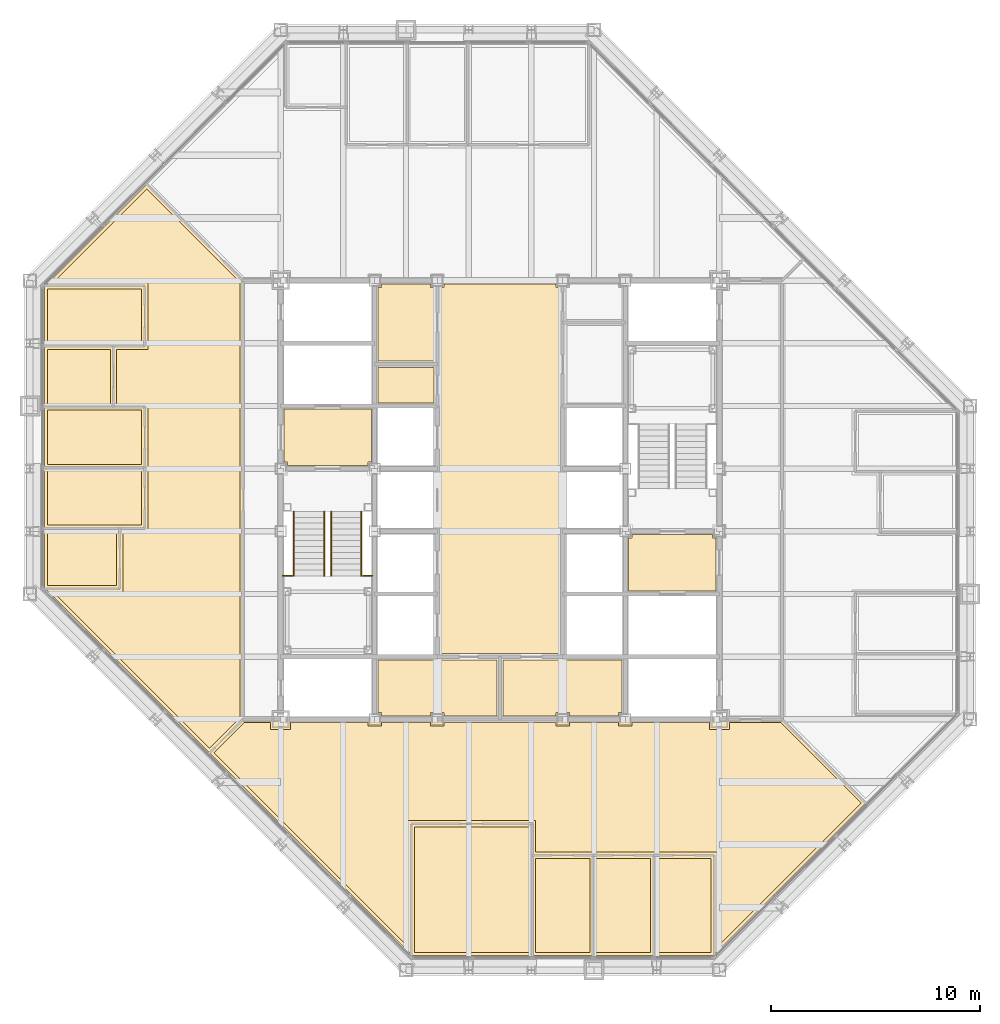
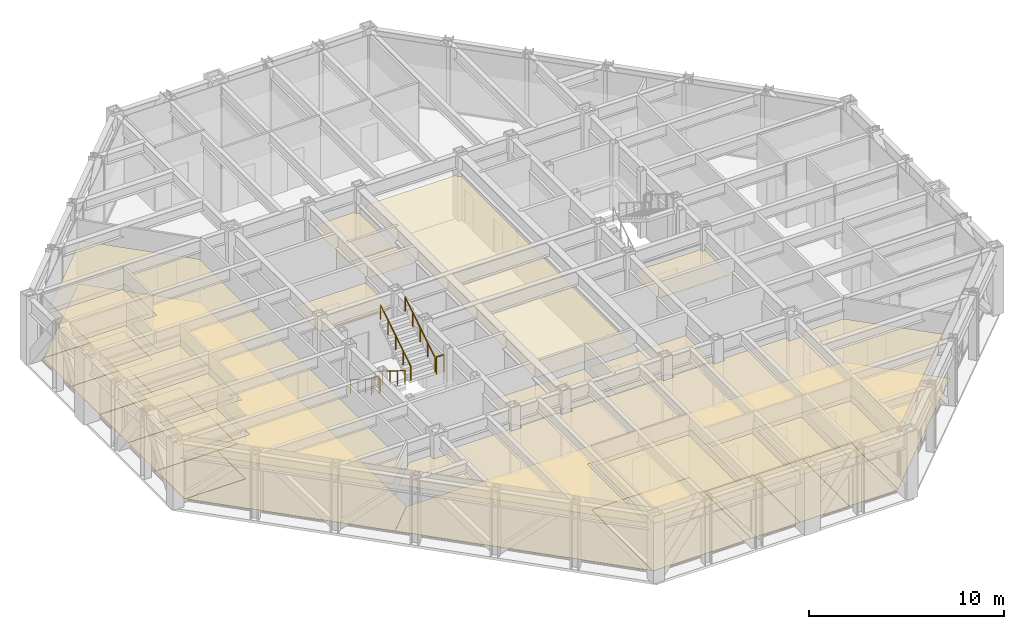
# One storey, part 15 of 16: 29 coverings, 6 railings.
"""IFC4 building model written with IfcOpenShell, lengths in metres."""

import ifcopenshell
import ifcopenshell.guid

model = None  # the IFC model being written
_history = None  # IfcOwnerHistory: only IFC2X3 demands one
_inside = {}  # id of a spatial element -> (the spatial element, [elements in it])
_under = {}  # id of a project, library or spatial element -> (it, [spatial elements below it])
_declared = {}  # id of a project -> (the project, [libraries it declares])
_typed = {}  # id of a type object -> (the type object, [elements of that type])
_made_of = {}  # id of a material, layer set ... -> (it, [elements and type objects made of it])


def new_model(schema):
    """Start an empty IFC model of exactly this schema.

    Asked for "IFC4X3", IfcOpenShell would pick the latest addendum, in which some entities
    have other attributes; the version numbers below select the first issue.
    IFC2X3 requires an IfcOwnerHistory on every rooted entity: one is made here for all.
    """
    global model, _history
    if schema == "IFC4X3":
        model = ifcopenshell.file(schema_version=(4, 3, 0, 0))
    else:
        model = ifcopenshell.file(schema=schema)
    _inside.clear()
    _under.clear()
    _declared.clear()
    _typed.clear()
    _made_of.clear()
    _history = None
    if model.schema == "IFC2X3":
        org = make("IfcOrganization", Name="unknown")
        user = make(
            "IfcPersonAndOrganization",
            ThePerson=make("IfcPerson", FamilyName="unknown"),
            TheOrganization=org,
        )
        app = make(
            "IfcApplication",
            ApplicationDeveloper=org,
            Version="unknown",
            ApplicationFullName="unknown",
            ApplicationIdentifier="unknown",
        )
        _history = make(
            "IfcOwnerHistory",
            OwningUser=user,
            OwningApplication=app,
            ChangeAction="ADDED",
            CreationDate=0,
        )
    return model


def make(cls, **values):
    """One entity of the class cls with the attributes given. An attribute that is None is left unset."""
    return model.create_entity(
        cls, **{name: value for name, value in values.items() if value is not None}
    )


def rooted(cls, **values):
    """An entity with a GlobalId (a new one), such as an element, a storey or a relation."""
    return make(cls, GlobalId=ifcopenshell.guid.new(), OwnerHistory=_history, **values)


def si_unit(unit_type, name, prefix=None):
    """IfcSIUnit, for example si_unit("LENGTHUNIT", "METRE", prefix="MILLI")."""
    return make("IfcSIUnit", UnitType=unit_type, Prefix=prefix, Name=name)


def assignment(units):
    """IfcUnitAssignment: the units of a project."""
    return None if units is None else make("IfcUnitAssignment", Units=units)


def point(xyz):
    """IfcCartesianPoint."""
    return None if xyz is None else make("IfcCartesianPoint", Coordinates=xyz)


def direction(xyz):
    """IfcDirection."""
    return None if xyz is None else make("IfcDirection", DirectionRatios=xyz)


def frame(location, z_axis=None, x_axis=None):
    """IfcAxis2Placement3D, a coordinate frame: its origin and axes. An axis left out is left unset."""
    return make(
        "IfcAxis2Placement3D",
        Location=point(location),
        Axis=direction(z_axis),
        RefDirection=direction(x_axis),
    )


def frame_2d(location, x_axis=None):
    """IfcAxis2Placement2D, a coordinate frame in the plane: its origin and x axis."""
    return make(
        "IfcAxis2Placement2D", Location=point(location), RefDirection=direction(x_axis)
    )


def origin():
    """The frame at (0, 0, 0) with its axes left unset."""
    return frame((0.0, 0.0, 0.0))


def origin_2d():
    """The frame at (0, 0) in the plane with its x axis left unset."""
    return frame_2d((0.0, 0.0))


def place(relative_to, where):
    """IfcLocalPlacement: puts the frame where relative to a parent placement (None: the world)."""
    return make(
        "IfcLocalPlacement", PlacementRelTo=relative_to, RelativePlacement=where
    )


def context(
    kind, dimensions, precision=None, world=None, true_north=None, identifier=None
):
    """IfcGeometricRepresentationContext, for example the 3D "Model" context."""
    return make(
        "IfcGeometricRepresentationContext",
        ContextIdentifier=identifier,
        ContextType=kind,
        CoordinateSpaceDimension=dimensions,
        Precision=precision,
        WorldCoordinateSystem=world,
        TrueNorth=true_north,
    )


def subcontext(parent, identifier, kind, view, scale=None):
    """IfcGeometricRepresentationSubContext, for example "Body" below "Model"."""
    return make(
        "IfcGeometricRepresentationSubContext",
        ContextIdentifier=identifier,
        ContextType=kind,
        ParentContext=parent,
        TargetScale=scale,
        TargetView=view,
    )


def project(units=None, contexts=None):
    """IfcProject with its units and contexts."""
    return rooted(
        "IfcProject",
        Name="project",
        RepresentationContexts=contexts,
        UnitsInContext=assignment(units),
    )


def spatial(cls, under=None, at=None, **own):
    """A site, building, storey or space (cls), placed at a placement, below another one or the project."""
    s = rooted(cls, ObjectPlacement=at, **own)
    if under is not None:
        _under.setdefault(under.id(), (under, []))[1].append(s)
    return s


def polyline(points):
    """IfcPolyline through the points."""
    return make("IfcPolyline", Points=[point(p) for p in points])


def profile(cls, at=None, kind="AREA", **sizes):
    """A parametric profile (cls). Its sizes go by their IFC names, for example OverallWidth=200.0."""
    return make(cls, ProfileType=kind, Position=at, **sizes)


def circle(**sizes):
    """IfcCircleProfileDef."""
    return profile("IfcCircleProfileDef", **sizes)


def outline(outer, holes=None, kind="AREA"):
    """IfcArbitraryClosedProfileDef: a profile drawn as a closed curve; with holes, ...WithVoids."""
    if holes is None:
        return make("IfcArbitraryClosedProfileDef", ProfileType=kind, OuterCurve=outer)
    return make(
        "IfcArbitraryProfileDefWithVoids",
        ProfileType=kind,
        OuterCurve=outer,
        InnerCurves=holes,
    )


def extrude(swept, where, along, depth):
    """IfcExtrudedAreaSolid: the profile swept, set in the frame where, extruded along a direction by depth."""
    return make(
        "IfcExtrudedAreaSolid",
        SweptArea=swept,
        Position=where,
        ExtrudedDirection=direction(along),
        Depth=depth,
    )


def shape(context_of_items, identifier, shape_type, items):
    """IfcShapeRepresentation: the items that make up one representation, for example the "Body"."""
    return make(
        "IfcShapeRepresentation",
        ContextOfItems=context_of_items,
        RepresentationIdentifier=identifier,
        RepresentationType=shape_type,
        Items=items,
    )


def material(Name=None, Category=None):
    """IfcMaterial."""
    return make("IfcMaterial", Name=Name, Category=Category)


def layer(
    of_material, thickness, ventilated=None, Name=None, Category=None, Priority=None
):
    """IfcMaterialLayer: one layer of a wall or slab, of a material (None: an air gap)."""
    return make(
        "IfcMaterialLayer",
        Material=of_material,
        LayerThickness=thickness,
        IsVentilated=ventilated,
        Name=Name,
        Category=Category,
        Priority=Priority,
    )


def layer_set(layers, Name=None):
    """IfcMaterialLayerSet."""
    return make("IfcMaterialLayerSet", MaterialLayers=layers, LayerSetName=Name)


def made_of(thing, what):
    """Note that an element or type object is made of a material, layer set ...; save() writes the relation."""
    if what is not None:
        _made_of.setdefault(what.id(), (what, []))[1].append(thing)
    return thing


def type_object(cls, material=None, **own):
    """A type object (cls), such as IfcWallType, which elements share."""
    return made_of(rooted(cls, **own), material)


def element(
    cls,
    number,
    at=None,
    inside=None,
    cuts=None,
    type_object=None,
    material=None,
    context=None,
    identifier="Body",
    shape_type=None,
    held_by="IfcProductDefinitionShape",
    body=None,
    shapes=None,
    **own,
):
    """One element of the class cls, such as IfcWall. Its Tag is "e" and its number.

    at: its placement. inside: the storey or other place that contains it. cuts: it is an
    opening in that element (IfcRelVoidsElement). A single representation is given by context,
    identifier, shape_type and body (its items); several are given by shapes. held_by: the class
    of the entity that holds the representations. save() writes the other relations.
    """
    e = rooted(cls, Tag="e%d" % number, ObjectPlacement=at, **own)
    if body is not None:
        shapes = [shape(context, identifier, shape_type, body)]
    if shapes is not None:
        e.Representation = make(held_by, Representations=shapes)
    if inside is not None:
        _inside.setdefault(inside.id(), (inside, []))[1].append(e)
    if cuts is not None:
        rooted(
            "IfcRelVoidsElement", RelatingBuildingElement=cuts, RelatedOpeningElement=e
        )
    if type_object is not None:
        _typed.setdefault(type_object.id(), (type_object, []))[1].append(e)
    return made_of(e, material)


def aggregate(whole, parts):
    """IfcRelAggregates: a whole, such as a stair, and the parts it consists of."""
    return rooted("IfcRelAggregates", RelatingObject=whole, RelatedObjects=parts)


def save(model, path):
    """Write the relations noted so far, then the file.

    IfcRelAggregates (storeys below a building ...), IfcRelContainedInSpatialStructure (elements
    in a storey), IfcRelDefinesByType, IfcRelAssociatesMaterial and IfcRelDeclares: one each for
    every whole, place, type object, material and project.
    """
    for whole, parts in _under.values():
        aggregate(whole, parts)
    for where, things in _inside.values():
        rooted(
            "IfcRelContainedInSpatialStructure",
            RelatedElements=things,
            RelatingStructure=where,
        )
    for kind, things in _typed.values():
        rooted("IfcRelDefinesByType", RelatedObjects=things, RelatingType=kind)
    for what, things in _made_of.values():
        rooted("IfcRelAssociatesMaterial", RelatedObjects=things, RelatingMaterial=what)
    for by, libraries in _declared.values():
        rooted("IfcRelDeclares", RelatingContext=by, RelatedDefinitions=libraries)
    model.write(path)


model = new_model("IFC4")

# Units and contexts
model_context = context("Model", 3, precision=1e-05, world=origin(), true_north=direction((0.0, 1.0)))
body_context = subcontext(model_context, "Body", "Model", "MODEL_VIEW")
ifc_project = project(units=[si_unit("LENGTHUNIT", "METRE"), si_unit("AREAUNIT", "SQUARE_METRE"), si_unit("VOLUMEUNIT", "CUBIC_METRE"), si_unit("PLANEANGLEUNIT", "RADIAN"), si_unit("MASSUNIT", "GRAM", prefix="KILO")], contexts=[model_context])

# Site, building, storey
site_placement = place(None, origin())
site = spatial("IfcSite", under=ifc_project, at=site_placement, CompositionType="ELEMENT")
building_placement = place(site_placement, origin())
building = spatial("IfcBuilding", under=site, at=building_placement, Name="Chuquiago Exchange Tower", CompositionType="ELEMENT")
storey_placement = place(building_placement, frame((0.0, 0.0, 218.10009765625)))
storey = spatial("IfcBuildingStorey", under=building, at=storey_placement, Name="L48", CompositionType="ELEMENT", Elevation=218.10009765625)

# Coverings
ifc_material_1 = material(Name="Mineral fibre tile, 600 x 600, on pale metal grid", Category="mineral fibre")
ifc_layer_1 = layer(ifc_material_1, 0.02001953125)
ifc_layer_set_1 = layer_set([ifc_layer_1], Name="CL1 suspended tile ceiling 20")
covering_type_1 = type_object("IfcCoveringType", Name="CL1 suspended tile ceiling 20", PredefinedType="CEILING", material=ifc_layer_set_1)
covering_1_placement = place(storey_placement, frame((0.0, 0.0, 2.7998046875)))
element("IfcCovering", 1, at=covering_1_placement, inside=storey, type_object=covering_type_1, Name="Ceiling Conference room", PredefinedType="CEILING", context=body_context, shape_type="SweptSolid", body=[
    extrude(outline(polyline([(18.3984375, 6.85009765625), (23.899658203125, 6.85009765625), (23.899658203125, 0.85009765625), (18.3984375, 0.85009765625), (18.3984375, 6.85009765625)])), origin(), (0.0, 0.0, 1.0), 0.02001953125),
])
covering_2_placement = place(storey_placement, frame((0.0, 0.0, 2.7998046875)))
element("IfcCovering", 2, at=covering_2_placement, inside=storey, type_object=covering_type_1, Name="Ceiling Office", PredefinedType="CEILING", context=body_context, shape_type="SweptSolid", body=[
    extrude(outline(polyline([(24.19970703125, 5.35009765625), (26.80029296875, 5.35009765625), (26.80029296875, 0.85009765625), (24.19970703125, 0.85009765625), (24.19970703125, 5.35009765625)])), origin(), (0.0, 0.0, 1.0), 0.02001953125),
])
covering_3_placement = place(storey_placement, frame((0.0, 0.0, 2.7998046875)))
element("IfcCovering", 3, at=covering_3_placement, inside=storey, type_object=covering_type_1, Name="Ceiling Compliance office", PredefinedType="CEILING", context=body_context, shape_type="SweptSolid", body=[
    extrude(outline(polyline([(27.100341796875, 5.35009765625), (29.700927734375, 5.35009765625), (29.700927734375, 0.85009765625), (27.100341796875, 0.85009765625), (27.100341796875, 5.35009765625)])), origin(), (0.0, 0.0, 1.0), 0.02001953125),
])
covering_4_placement = place(storey_placement, frame((0.0, 0.0, 2.7998046875)))
element("IfcCovering", 4, at=covering_4_placement, inside=storey, type_object=covering_type_1, Name="Ceiling Office", PredefinedType="CEILING", context=body_context, shape_type="SweptSolid", body=[
    extrude(outline(polyline([(30.0009765625, 0.85009765625), (30.0009765625, 5.35009765625), (32.6015625, 5.35009765625), (32.6015625, 0.85009765625), (30.0009765625, 0.85009765625)])), origin(), (0.0, 0.0, 1.0), 0.02001953125),
])
covering_5_placement = place(storey_placement, frame((0.0, 0.0, 2.7998046875)))
element("IfcCovering", 5, at=covering_5_placement, inside=storey, type_object=covering_type_1, Name="Ceiling Pantry", PredefinedType="CEILING", context=body_context, shape_type="SweptSolid", body=[
    extrude(outline(polyline([(0.85009765625, 20.9990234375), (4.14990234375, 20.9990234375), (4.14990234375, 18.3984375), (0.85009765625, 18.3984375), (0.85009765625, 20.9990234375)])), origin(), (0.0, 0.0, 1.0), 0.02001953125),
])
covering_6_placement = place(storey_placement, frame((0.0, 0.0, 2.7998046875)))
element("IfcCovering", 6, at=covering_6_placement, inside=storey, type_object=covering_type_1, Name="Ceiling Office", PredefinedType="CEILING", context=body_context, shape_type="SweptSolid", body=[
    extrude(outline(polyline([(5.35009765625, 23.899658203125), (5.35009765625, 21.299072265625), (0.85009765625, 21.299072265625), (0.85009765625, 23.899658203125), (5.35009765625, 23.899658203125)])), origin(), (0.0, 0.0, 1.0), 0.02001953125),
])
covering_7_placement = place(storey_placement, frame((0.0, 0.0, 2.7998046875)))
element("IfcCovering", 7, at=covering_7_placement, inside=storey, type_object=covering_type_1, Name="Ceiling Meeting room", PredefinedType="CEILING", context=body_context, shape_type="SweptSolid", body=[
    extrude(outline(polyline([(5.35009765625, 26.80029296875), (5.35009765625, 24.19970703125), (0.85009765625, 24.19970703125), (0.85009765625, 26.80029296875), (5.35009765625, 26.80029296875)])), origin(), (0.0, 0.0, 1.0), 0.02001953125),
])
covering_8_placement = place(storey_placement, frame((0.0, 0.0, 2.7998046875)))
element("IfcCovering", 8, at=covering_8_placement, inside=storey, type_object=covering_type_1, Name="Ceiling Store", PredefinedType="CEILING", context=body_context, shape_type="SweptSolid", body=[
    extrude(outline(polyline([(3.85009765625, 29.700927734375), (3.85009765625, 27.100341796875), (0.85009765625, 27.100341796875), (0.85009765625, 29.700927734375), (3.85009765625, 29.700927734375)])), origin(), (0.0, 0.0, 1.0), 0.02001953125),
])
covering_9_placement = place(storey_placement, frame((0.0, 0.0, 2.7998046875)))
element("IfcCovering", 9, at=covering_9_placement, inside=storey, type_object=covering_type_1, Name="Ceiling Office", PredefinedType="CEILING", context=body_context, shape_type="SweptSolid", body=[
    extrude(outline(polyline([(5.35009765625, 32.6015625), (5.35009765625, 30.0009765625), (0.85009765625, 30.0009765625), (0.85009765625, 32.6015625), (5.35009765625, 32.6015625)])), origin(), (0.0, 0.0, 1.0), 0.02001953125),
])
covering_10_placement = place(storey_placement, frame((0.0, 0.0, 2.7998046875)))
element("IfcCovering", 10, at=covering_10_placement, inside=storey, type_object=covering_type_1, Name="Ceiling Open office south", PredefinedType="CEILING", context=body_context, shape_type="SweptSolid", body=[
    extrude(outline(polyline([(32.901611328125, 5.64990234375), (24.19970703125, 5.64990234375), (24.19970703125, 7.14990234375), (18.098388671875, 7.14990234375), (18.098388671875, 1.103515625), (8.807373046875, 10.39453125), (10.2626953125, 11.85009765625), (11.52490234375, 11.85009765625), (11.52490234375, 11.52490234375), (12.47509765625, 11.52490234375), (12.47509765625, 11.85009765625), (16.175048828125, 11.85009765625), (16.175048828125, 11.675048828125), (16.824951171875, 11.675048828125), (16.824951171875, 11.85009765625), (19.175048828125, 11.85009765625), (19.175048828125, 11.675048828125), (19.824951171875, 11.675048828125), (19.824951171875, 11.85009765625), (25.175048828125, 11.85009765625), (25.175048828125, 11.675048828125), (25.824951171875, 11.675048828125), (25.824951171875, 11.85009765625), (28.175048828125, 11.85009765625), (28.175048828125, 11.675048828125), (28.824951171875, 11.675048828125), (28.824951171875, 11.85009765625), (32.52490234375, 11.85009765625), (32.52490234375, 11.52490234375), (33.47509765625, 11.52490234375), (33.47509765625, 11.85009765625), (35.9375, 11.85009765625), (39.79248046875, 7.99462890625), (32.901611328125, 1.103515625), (32.901611328125, 5.64990234375)])), origin(), (0.0, 0.0, 1.0), 0.02001953125),
])
covering_11_placement = place(storey_placement, frame((0.0, 0.0, 2.7998046875)))
element("IfcCovering", 11, at=covering_11_placement, inside=storey, type_object=covering_type_1, Name="Ceiling Open office west", PredefinedType="CEILING", context=body_context, shape_type="SweptSolid", body=[
    extrude(outline(polyline([(4.449951171875, 18.098388671875), (4.449951171875, 20.9990234375), (5.64990234375, 20.9990234375), (5.64990234375, 27.100341796875), (4.14990234375, 27.100341796875), (4.14990234375, 29.700927734375), (5.64990234375, 29.700927734375), (5.64990234375, 32.901611328125), (1.103515625, 32.901611328125), (5.594482421875, 37.392578125), (10.050048828125, 32.9375), (10.050048828125, 12.0625), (8.594482421875, 10.607421875), (1.103515625, 18.098388671875), (4.449951171875, 18.098388671875)])), origin(), (0.0, 0.0, 1.0), 0.02001953125),
])
covering_12_placement = place(storey_placement, frame((0.0, 0.0, 2.7998046875)))
element("IfcCovering", 12, at=covering_12_placement, inside=storey, type_object=covering_type_1, Name="Ceiling First aid room", PredefinedType="CEILING", context=body_context, shape_type="SweptSolid", body=[
    extrude(outline(polyline([(16.64990234375, 27.14990234375), (16.64990234375, 28.85009765625), (19.35009765625, 28.85009765625), (19.35009765625, 27.14990234375), (16.64990234375, 27.14990234375)])), origin(), (0.0, 0.0, 1.0), 0.02001953125),
])
ifc_material_2 = material(Name="Moisture resistant plasterboard on metal frame", Category="gypsum")
ifc_layer_2 = layer(ifc_material_2, 0.014892578125)
ifc_layer_set_2 = layer_set([ifc_layer_2], Name="CL2 moisture resistant ceiling 15")
covering_type_2 = type_object("IfcCoveringType", Name="CL2 moisture resistant ceiling 15", PredefinedType="CEILING", material=ifc_layer_set_2)
covering_13_placement = place(storey_placement, frame((0.0, 0.0, 2.599853515625)))
element("IfcCovering", 13, at=covering_13_placement, inside=storey, type_object=covering_type_2, Name="Ceiling Male WC", PredefinedType="CEILING", context=body_context, shape_type="SweptSolid", body=[
    extrude(outline(polyline([(16.64990234375, 29.14990234375), (16.64990234375, 32.675048828125), (16.824951171875, 32.675048828125), (16.824951171875, 32.85009765625), (19.175048828125, 32.85009765625), (19.175048828125, 32.675048828125), (19.35009765625, 32.675048828125), (19.35009765625, 29.14990234375), (16.64990234375, 29.14990234375)])), origin(), (0.0, 0.0, 1.0), 0.01513671875),
])
covering_14_placement = place(storey_placement, frame((0.0, 0.0, 2.599853515625)))
element("IfcCovering", 14, at=covering_14_placement, inside=storey, type_object=covering_type_2, Name="Ceiling Accessible WC", PredefinedType="CEILING", context=body_context, shape_type="SweptSolid", body=[
    extrude(outline(polyline([(25.824951171875, 12.14990234375), (25.824951171875, 12.324951171875), (25.175048828125, 12.324951171875), (25.175048828125, 12.14990234375), (22.64990234375, 12.14990234375), (22.64990234375, 14.85009765625), (28.35009765625, 14.85009765625), (28.35009765625, 12.324951171875), (28.175048828125, 12.324951171875), (28.175048828125, 12.14990234375), (25.824951171875, 12.14990234375)])), origin(), (0.0, 0.0, 1.0), 0.01513671875),
])
covering_15_placement = place(storey_placement, frame((0.0, 0.0, 2.599853515625)))
element("IfcCovering", 15, at=covering_15_placement, inside=storey, type_object=covering_type_2, Name="Ceiling Cleaner", PredefinedType="CEILING", context=body_context, shape_type="SweptSolid", body=[
    extrude(outline(polyline([(19.824951171875, 12.14990234375), (19.824951171875, 12.324951171875), (19.175048828125, 12.324951171875), (19.175048828125, 12.14990234375), (16.824951171875, 12.14990234375), (16.824951171875, 12.324951171875), (16.64990234375, 12.324951171875), (16.64990234375, 14.85009765625), (22.35009765625, 14.85009765625), (22.35009765625, 12.14990234375), (19.824951171875, 12.14990234375)])), origin(), (0.0, 0.0, 1.0), 0.01513671875),
])
ifc_material_3 = material(Name="Pale metal plank ceiling, perforated", Category="aluminium")
ifc_layer_3 = layer(ifc_material_3, 0.030029296875)
ifc_layer_set_3 = layer_set([ifc_layer_3], Name="CL3 metal plank ceiling 30")
covering_type_3 = type_object("IfcCoveringType", Name="CL3 metal plank ceiling 30", PredefinedType="CEILING", material=ifc_layer_set_3)
covering_16_placement = place(storey_placement, frame((0.0, 0.0, 2.7998046875)))
element("IfcCovering", 16, at=covering_16_placement, inside=storey, type_object=covering_type_3, Name="Ceiling Lift lobby", PredefinedType="CEILING", context=body_context, shape_type="SweptSolid", body=[
    extrude(outline(polyline([(19.64990234375, 15.14990234375), (19.64990234375, 32.675048828125), (19.824951171875, 32.675048828125), (19.824951171875, 32.85009765625), (25.175048828125, 32.85009765625), (25.175048828125, 32.675048828125), (25.35009765625, 32.675048828125), (25.35009765625, 15.14990234375), (19.64990234375, 15.14990234375)])), origin(), (0.0, 0.0, 1.0), 0.030029296875),
])
covering_17_placement = place(storey_placement, frame((0.0, 0.0, 2.7998046875)))
element("IfcCovering", 17, at=covering_17_placement, inside=storey, type_object=covering_type_3, Name="Ceiling Firefighting lobby", PredefinedType="CEILING", context=body_context, shape_type="SweptSolid", body=[
    extrude(outline(polyline([(12.324951171875, 24.14990234375), (12.324951171875, 24.324951171875), (12.14990234375, 24.324951171875), (12.14990234375, 26.85009765625), (16.35009765625, 26.85009765625), (16.35009765625, 24.324951171875), (16.175048828125, 24.324951171875), (16.175048828125, 24.14990234375), (12.324951171875, 24.14990234375)])), origin(), (0.0, 0.0, 1.0), 0.030029296875),
])
covering_18_placement = place(storey_placement, frame((0.0, 0.0, 2.7998046875)))
element("IfcCovering", 18, at=covering_18_placement, inside=storey, type_object=covering_type_3, Name="Ceiling Firefighting lobby", PredefinedType="CEILING", context=body_context, shape_type="SweptSolid", body=[
    extrude(outline(polyline([(28.64990234375, 18.14990234375), (28.64990234375, 20.675048828125), (28.824951171875, 20.675048828125), (28.824951171875, 20.85009765625), (32.675048828125, 20.85009765625), (32.675048828125, 20.675048828125), (32.85009765625, 20.675048828125), (32.85009765625, 18.14990234375), (28.64990234375, 18.14990234375)])), origin(), (0.0, 0.0, 1.0), 0.030029296875),
])
ifc_material_4 = material(Name="Carpet tile, 500 x 500, on the floor slab", Category="textile")
ifc_layer_4 = layer(ifc_material_4, 0.010009765625)
ifc_layer_set_4 = layer_set([ifc_layer_4], Name="FL1 carpet tile 10")
covering_type_4 = type_object("IfcCoveringType", Name="FL1 carpet tile 10", PredefinedType="FLOORING", material=ifc_layer_set_4)
covering_19_placement = place(storey_placement, origin())
element("IfcCovering", 19, at=covering_19_placement, inside=storey, type_object=covering_type_4, Name="Floor finish Conference room", PredefinedType="FLOORING", context=body_context, shape_type="SweptSolid", body=[
    extrude(outline(polyline([(18.289794921875, 0.699951171875), (18.24853515625, 0.741455078125), (18.24853515625, 7.0), (24.0498046875, 7.0), (24.0498046875, 0.699951171875), (18.289794921875, 0.699951171875)])), origin(), (0.0, 0.0, 1.0), 0.010009765625),
])
covering_20_placement = place(storey_placement, origin())
element("IfcCovering", 20, at=covering_20_placement, inside=storey, type_object=covering_type_4, Name="Floor finish Office", PredefinedType="FLOORING", context=body_context, shape_type="SweptSolid", body=[
    extrude(outline(polyline([(24.0498046875, 0.699951171875), (24.0498046875, 5.5), (26.9501953125, 5.5), (26.9501953125, 0.699951171875), (24.0498046875, 0.699951171875)])), origin(), (0.0, 0.0, 1.0), 0.010009765625),
])
covering_21_placement = place(storey_placement, origin())
element("IfcCovering", 21, at=covering_21_placement, inside=storey, type_object=covering_type_4, Name="Floor finish Compliance office", PredefinedType="FLOORING", context=body_context, shape_type="SweptSolid", body=[
    extrude(outline(polyline([(26.9501953125, 0.699951171875), (26.9501953125, 5.5), (29.850830078125, 5.5), (29.850830078125, 0.699951171875), (26.9501953125, 0.699951171875)])), origin(), (0.0, 0.0, 1.0), 0.010009765625),
])
covering_22_placement = place(storey_placement, origin())
element("IfcCovering", 22, at=covering_22_placement, inside=storey, type_object=covering_type_4, Name="Floor finish Office", PredefinedType="FLOORING", context=body_context, shape_type="SweptSolid", body=[
    extrude(outline(polyline([(32.710205078125, 0.699951171875), (29.850830078125, 0.699951171875), (29.850830078125, 5.5), (32.75146484375, 5.5), (32.75146484375, 0.741455078125), (32.710205078125, 0.699951171875)])), origin(), (0.0, 0.0, 1.0), 0.010009765625),
])
covering_23_placement = place(storey_placement, origin())
element("IfcCovering", 23, at=covering_23_placement, inside=storey, type_object=covering_type_4, Name="Floor finish Office", PredefinedType="FLOORING", context=body_context, shape_type="SweptSolid", body=[
    extrude(outline(polyline([(0.699951171875, 24.0498046875), (5.5, 24.0498046875), (5.5, 21.149169921875), (0.699951171875, 21.149169921875), (0.699951171875, 24.0498046875)])), origin(), (0.0, 0.0, 1.0), 0.010009765625),
])
covering_24_placement = place(storey_placement, origin())
element("IfcCovering", 24, at=covering_24_placement, inside=storey, type_object=covering_type_4, Name="Floor finish Meeting room", PredefinedType="FLOORING", context=body_context, shape_type="SweptSolid", body=[
    extrude(outline(polyline([(0.699951171875, 26.9501953125), (5.5, 26.9501953125), (5.5, 24.0498046875), (0.699951171875, 24.0498046875), (0.699951171875, 26.9501953125)])), origin(), (0.0, 0.0, 1.0), 0.010009765625),
])
covering_25_placement = place(storey_placement, origin())
element("IfcCovering", 25, at=covering_25_placement, inside=storey, type_object=covering_type_4, Name="Floor finish Office", PredefinedType="FLOORING", context=body_context, shape_type="SweptSolid", body=[
    extrude(outline(polyline([(0.699951171875, 32.710205078125), (0.741455078125, 32.75146484375), (5.5, 32.75146484375), (5.5, 29.850830078125), (0.699951171875, 29.850830078125), (0.699951171875, 32.710205078125)])), origin(), (0.0, 0.0, 1.0), 0.010009765625),
])
covering_26_placement = place(storey_placement, origin())
element("IfcCovering", 26, at=covering_26_placement, inside=storey, type_object=covering_type_4, Name="Floor finish Open office south", PredefinedType="FLOORING", context=body_context, shape_type="SweptSolid", body=[
    extrude(outline(polyline([(32.75146484375, 0.741455078125), (32.75146484375, 5.5), (24.0498046875, 5.5), (24.0498046875, 7.0), (18.24853515625, 7.0), (18.24853515625, 0.741455078125), (8.59521484375, 10.39453125), (10.200439453125, 12.0), (35.99951171875, 12.0), (40.004638671875, 7.99462890625), (32.75146484375, 0.741455078125)])), origin(), (0.0, 0.0, 1.0), 0.010009765625),
])
covering_27_placement = place(storey_placement, origin())
element("IfcCovering", 27, at=covering_27_placement, inside=storey, type_object=covering_type_4, Name="Floor finish Open office west", PredefinedType="FLOORING", context=body_context, shape_type="SweptSolid", body=[
    extrude(outline(polyline([(0.741455078125, 18.24853515625), (4.300048828125, 18.24853515625), (4.300048828125, 21.149169921875), (5.5, 21.149169921875), (5.5, 26.9501953125), (4.0, 26.9501953125), (4.0, 29.850830078125), (5.5, 29.850830078125), (5.5, 32.75146484375), (0.741455078125, 32.75146484375), (5.594482421875, 37.604736328125), (10.199951171875, 32.99951171875), (10.199951171875, 12.00048828125), (8.594482421875, 10.395263671875), (0.741455078125, 18.24853515625)])), origin(), (0.0, 0.0, 1.0), 0.010009765625),
])
ifc_material_5 = material(Name="Porcelain floor tile, 600 x 600, on adhesive bed", Category="ceramic")
ifc_layer_5 = layer(ifc_material_5, 0.014892578125)
ifc_layer_set_5 = layer_set([ifc_layer_5], Name="FL2 porcelain tile 15")
covering_type_5 = type_object("IfcCoveringType", Name="FL2 porcelain tile 15", PredefinedType="FLOORING", material=ifc_layer_set_5)
covering_28_placement = place(storey_placement, origin())
element("IfcCovering", 28, at=covering_28_placement, inside=storey, type_object=covering_type_5, Name="Floor finish Pantry", PredefinedType="FLOORING", context=body_context, shape_type="SweptSolid", body=[
    extrude(outline(polyline([(0.699951171875, 21.149169921875), (4.300048828125, 21.149169921875), (4.300048828125, 18.24853515625), (0.741455078125, 18.24853515625), (0.699951171875, 18.289794921875), (0.699951171875, 21.149169921875)])), origin(), (0.0, 0.0, 1.0), 0.014892578125),
])
covering_29_placement = place(storey_placement, origin())
element("IfcCovering", 29, at=covering_29_placement, inside=storey, type_object=covering_type_5, Name="Floor finish Store", PredefinedType="FLOORING", context=body_context, shape_type="SweptSolid", body=[
    extrude(outline(polyline([(0.699951171875, 29.850830078125), (4.0, 29.850830078125), (4.0, 26.9501953125), (0.699951171875, 26.9501953125), (0.699951171875, 29.850830078125)])), origin(), (0.0, 0.0, 1.0), 0.014892578125),
])

# Railings
ifc_material_6 = material(Name="Pale metal guard with safety glass infill", Category="glass")
railing_type_1 = type_object("IfcRailingType", Name="GR1 guard 1100", PredefinedType="GUARDRAIL", material=ifc_material_6)
for number, where, name in (
    (30, (12.10009765625, 18.8701171875, 2.099853515625), "Guard ST1 L48 landing 2"),
    (31, (15.945068359375, 18.8701171875, 2.099853515625), "Guard ST1 L48 landing 2"),
):
    element("IfcRailing", number, at=place(storey_placement, frame(where)), inside=storey, type_object=railing_type_1, Name=name, PredefinedType="GUARDRAIL", context=body_context, shape_type="SweptSolid", body=[
        extrude(circle(Radius=0.02392578125, at=origin_2d()), frame((0.0, 0.0, 1.076171875), z_axis=(1.0, 0.0, 0.0), x_axis=(0.0, 1.0, 0.0)), (0.0, 0.0, 1.0), 0.454833984375),
        extrude(circle(Radius=0.02099609375, at=origin_2d()), origin(), (0.0, 0.0, 1.0), 1.052001953125),
        extrude(circle(Radius=0.02099609375, at=origin_2d()), frame((0.454833984375, 0.0, 0.0)), (0.0, 0.0, 1.0), 1.052001953125),
    ])
ifc_material_7 = material(Name="Pale metal handrail", Category="steel")
railing_type_2 = type_object("IfcRailingType", Name="HR1 handrail 900", PredefinedType="HANDRAIL", material=ifc_material_7)
for number, where, name in (
    (32, (12.635009765625, 21.949951171875, 0.1748046875), "Handrail ST1 L48 flight 1"),
    (33, (14.0849609375, 21.949951171875, 0.1748046875), "Handrail ST1 L48 flight 1"),
):
    element("IfcRailing", number, at=place(storey_placement, frame(where)), inside=storey, type_object=railing_type_2, Name=name, PredefinedType="HANDRAIL", context=body_context, shape_type="SweptSolid", body=[
        extrude(circle(Radius=0.02392578125, at=origin_2d()), frame((0.0, 0.0, 0.8759765625), z_axis=(0.0, -0.847979421464, 0.530029150871), x_axis=(1.0, 0.0, 0.0)), (0.0, 0.0, 1.0), 3.632080078125),
        extrude(circle(Radius=0.02099609375, at=origin_2d()), origin(), (0.0, 0.0, 1.0), 0.851806640625),
        extrude(circle(Radius=0.02099609375, at=origin_2d()), frame((0.0, -0.77001953125, 0.481201171875)), (0.0, 0.0, 1.0), 0.851806640625),
        extrude(circle(Radius=0.02099609375, at=origin_2d()), frame((0.0, -1.5400390625, 0.96240234375)), (0.0, 0.0, 1.0), 0.851806640625),
        extrude(circle(Radius=0.02099609375, at=origin_2d()), frame((0.0, -2.309814453125, 1.44384765625)), (0.0, 0.0, 1.0), 0.851806640625),
        extrude(circle(Radius=0.02099609375, at=origin_2d()), frame((0.0, -3.079833984375, 1.925048828125)), (0.0, 0.0, 1.0), 0.851806640625),
    ])
for number, where, name in (
    (34, (15.864990234375, 18.8701171875, 2.27490234375), "Handrail ST1 L48 flight 2"),
    (35, (14.4150390625, 18.8701171875, 2.27490234375), "Handrail ST1 L48 flight 2"),
):
    element("IfcRailing", number, at=place(storey_placement, frame(where)), inside=storey, type_object=railing_type_2, Name=name, PredefinedType="HANDRAIL", context=body_context, shape_type="SweptSolid", body=[
        extrude(circle(Radius=0.02392578125, at=origin_2d()), frame((0.0, 0.0, 0.8759765625), z_axis=(0.0, 0.847979421464, 0.530029150871), x_axis=(-1.0, 0.0, 0.0)), (0.0, 0.0, 1.0), 3.632080078125),
        extrude(circle(Radius=0.02099609375, at=origin_2d()), origin(), (0.0, 0.0, 1.0), 0.851806640625),
        extrude(circle(Radius=0.02099609375, at=origin_2d()), frame((0.0, 0.77001953125, 0.481201171875)), (0.0, 0.0, 1.0), 0.851806640625),
        extrude(circle(Radius=0.02099609375, at=origin_2d()), frame((0.0, 1.5400390625, 0.96240234375)), (0.0, 0.0, 1.0), 0.851806640625),
        extrude(circle(Radius=0.02099609375, at=origin_2d()), frame((0.0, 2.309814453125, 1.44384765625)), (0.0, 0.0, 1.0), 0.851806640625),
        extrude(circle(Radius=0.02099609375, at=origin_2d()), frame((0.0, 3.079833984375, 1.925048828125)), (0.0, 0.0, 1.0), 0.851806640625),
    ])

save(model, "model.ifc")
